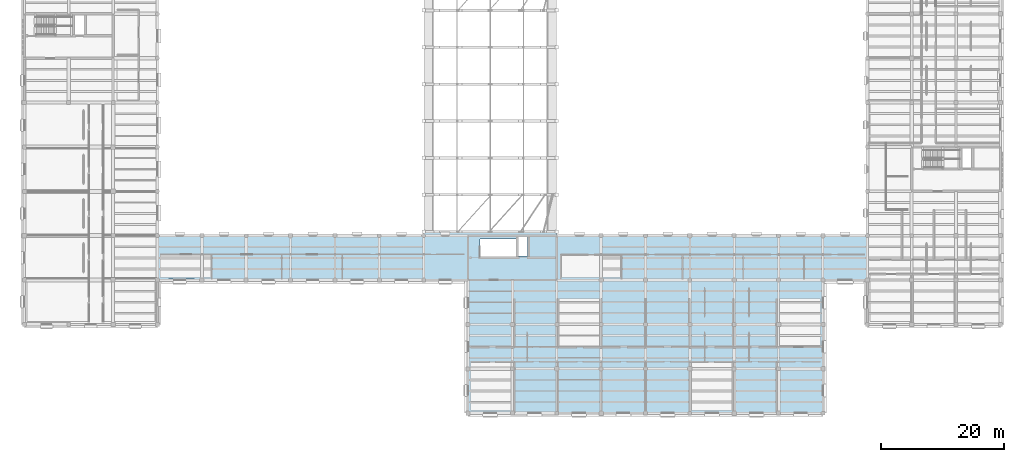
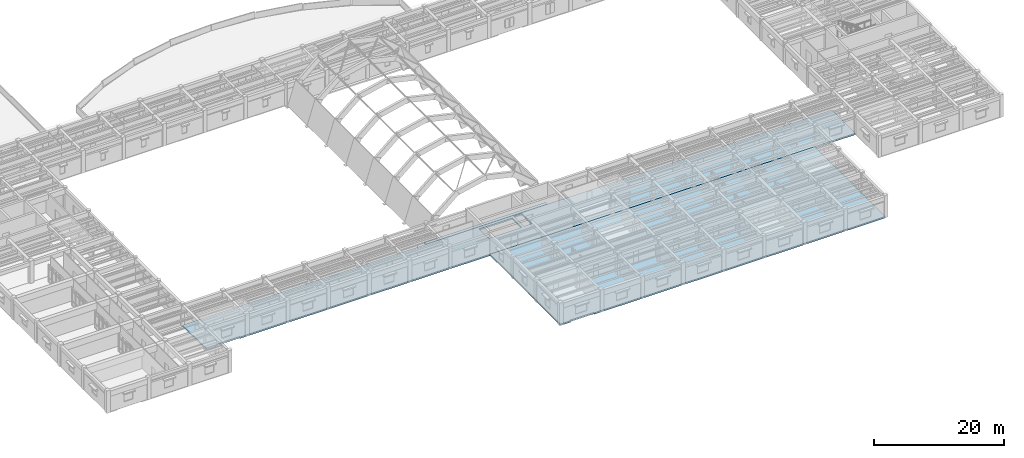
# One storey, part 26 of 66: 3 slabs.
"""IFC4 building model written with IfcOpenShell, lengths in metres."""

from ifc_helpers import new_model, si_unit, direction, frame, origin, place, context, subcontext, project, spatial, polyline, outline, extrude, material, layer, layer_set, type_object, element, save


model = new_model("IFC4")

# Units and contexts
model_context = context("Model", 3, precision=1e-05, world=origin(), true_north=direction((0.0, 1.0)))
body_context = subcontext(model_context, "Body", "Model", "MODEL_VIEW")
ifc_project = project(units=[si_unit("LENGTHUNIT", "METRE"), si_unit("AREAUNIT", "SQUARE_METRE"), si_unit("VOLUMEUNIT", "CUBIC_METRE"), si_unit("PLANEANGLEUNIT", "RADIAN"), si_unit("MASSUNIT", "GRAM", prefix="KILO")], contexts=[model_context])

# Site, building, storey
site_placement = place(None, origin())
site = spatial("IfcSite", under=ifc_project, at=site_placement, CompositionType="ELEMENT")
building_placement = place(site_placement, origin())
building = spatial("IfcBuilding", under=site, at=building_placement, Name="Mithqara Police Headquarters", CompositionType="ELEMENT")
storey_placement = place(building_placement, frame((0.0, 0.0, 9.60009765625)))
storey = spatial("IfcBuildingStorey", under=building, at=storey_placement, Name="L02", CompositionType="ELEMENT", Elevation=9.60009765625)

# Slabs
ifc_material = material(Name="Concrete C40/50", Category="concrete")
ifc_layer_1 = layer(ifc_material, 0.280029296875, Name="Concrete C40/50")
ifc_layer_set_1 = layer_set([ifc_layer_1], Name="Concrete C40/50")
slab_type_1 = type_object("IfcSlabType", Name="FLOOR SLAB 280", PredefinedType="FLOOR", material=ifc_layer_set_1)
slab_1_placement = place(storey_placement, frame((0.0, 0.0, -0.280029296875)))
element("IfcSlab", 1, at=slab_1_placement, inside=storey, type_object=slab_type_1, Name="L02 Structural Slab L02-V5S", PredefinedType="FLOOR", context=body_context, shape_type="SweptSolid", body=[
    extrude(outline(polyline([(144.60009765625, 28.199951171875), (35.39990234375, 28.199951171875), (35.39990234375, 28.340087890625), (31.199951171875, 28.340087890625), (31.199951171875, 28.199951171875), (29.39990234375, 28.199951171875), (29.39990234375, 35.39990234375), (144.60009765625, 35.39990234375), (144.60009765625, 28.199951171875)]), holes=[polyline([(81.75, 32.0), (87.60009765625, 32.0), (87.60009765625, 34.89990234375), (81.75, 34.89990234375), (81.75, 32.0)]), polyline([(89.449951171875, 32.070068359375), (89.449951171875, 35.14990234375), (88.030029296875, 35.14990234375), (88.030029296875, 32.070068359375), (89.449951171875, 32.070068359375)])]), origin(), (0.0, 0.0, 1.0), 0.280029296875),
])
slab_2_placement = place(storey_placement, frame((0.0, 0.0, -0.280029296875)))
element("IfcSlab", 2, at=slab_2_placement, inside=storey, type_object=slab_type_1, Name="L02 Structural Slab L02-V6S", PredefinedType="FLOOR", context=body_context, shape_type="SweptSolid", body=[
    extrude(outline(polyline([(85.800048828125, 6.60009765625), (85.800048828125, 6.739990234375), (81.60009765625, 6.739990234375), (81.60009765625, 6.60009765625), (79.800048828125, 6.60009765625), (79.800048828125, 28.199951171875), (137.39990234375, 28.199951171875), (137.39990234375, 6.60009765625), (85.800048828125, 6.60009765625)])), origin(), (0.0, 0.0, 1.0), 0.280029296875),
])
ifc_layer_2 = layer(ifc_material, 0.25, Name="Concrete C40/50")
ifc_layer_set_2 = layer_set([ifc_layer_2], Name="Concrete C40/50")
slab_type_2 = type_object("IfcSlabType", Name="ROOF SLAB 250", PredefinedType="ROOF", material=ifc_layer_set_2)
slab_3_placement = place(storey_placement, frame((0.0, 0.0, -0.25)))
element("IfcSlab", 3, at=slab_3_placement, inside=storey, type_object=slab_type_2, Name="L02 Flat Insulated Roof over L01 Wing 2", PredefinedType="ROOF", context=body_context, shape_type="SweptSolid", body=[
    extrude(outline(polyline([(72.60009765625, 36.0), (94.199951171875, 36.0), (94.199951171875, 35.419921875), (72.60009765625, 35.419921875), (72.60009765625, 36.0)])), origin(), (0.0, 0.0, 1.0), 0.25),
])

save(model, "model.ifc")
